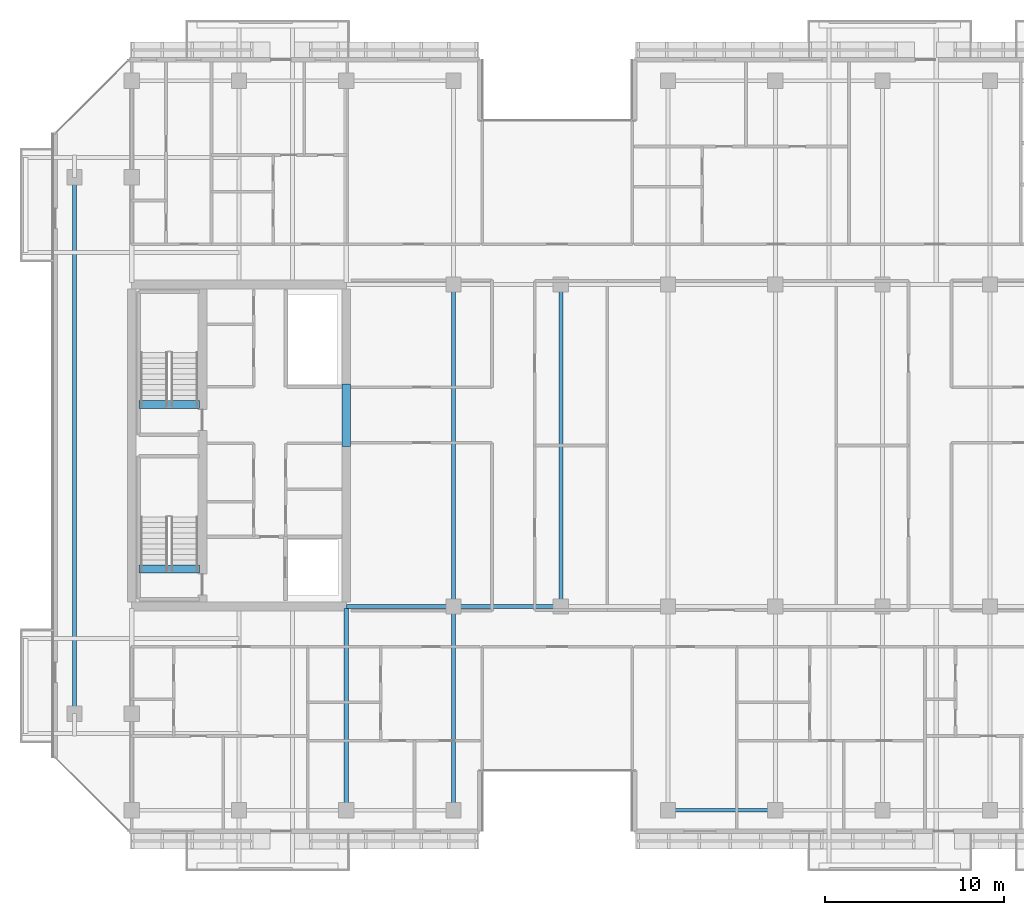
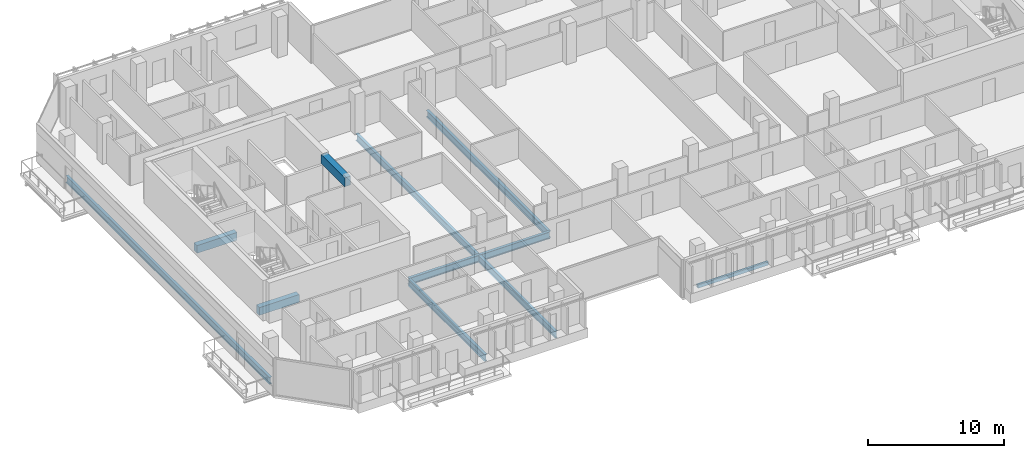
# One storey, part 5 of 30: 11 beams.
"""IFC4 building model written with IfcOpenShell, lengths in metres."""

from ifc_helpers import new_model, si_unit, direction, frame, origin, origin_2d, place, context, subcontext, project, spatial, rectangle, hollow_rectangle, i_section, extrude, material, material_profile, profile_set, type_object, element, save


model = new_model("IFC4")

# Units and contexts
model_context = context("Model", 3, precision=1e-05, world=origin(), true_north=direction((0.0, 1.0)))
body_context = subcontext(model_context, "Body", "Model", "MODEL_VIEW")
ifc_project = project(units=[si_unit("LENGTHUNIT", "METRE"), si_unit("AREAUNIT", "SQUARE_METRE"), si_unit("VOLUMEUNIT", "CUBIC_METRE"), si_unit("PLANEANGLEUNIT", "RADIAN"), si_unit("MASSUNIT", "GRAM", prefix="KILO")], contexts=[model_context])

# Site, building, storey
site_placement = place(None, origin())
site = spatial("IfcSite", under=ifc_project, at=site_placement, CompositionType="ELEMENT")
building_placement = place(site_placement, origin())
building = spatial("IfcBuilding", under=site, at=building_placement, Name="Tanjung Sevakor Pilgrim Tower", CompositionType="ELEMENT")
storey_placement = place(building_placement, frame((0.0, 0.0, 165.659912109375)))
storey = spatial("IfcBuildingStorey", under=building, at=storey_placement, Name="L46", CompositionType="ELEMENT", Elevation=165.659912109375)

# Beams
ifc_material_1 = material(Name="Steel S355J2", Category="steel")
ifc_material_profile_1 = material_profile(ifc_material_1, i_section(OverallWidth=0.230224609375, OverallDepth=0.6171875, WebThickness=0.01318359375, FlangeThickness=0.022216796875, FilletRadius=0.0126953125, at=origin_2d()))
ifc_profile_set_1 = profile_set([ifc_material_profile_1], Name="Steel S355J2")
beam_type_1 = type_object("IfcBeamType", Name="BM-B-G3-UB_610x229x140", PredefinedType="BEAM", material=ifc_profile_set_1)
for number, where, z_axis, x_axis, name in (
    (1, (36.0, 24.60009765625, -0.528564453125), (1.0, 0.0, 0.0), (0.0, 1.0, 0.0), "L46 Primary Floor Girder MAIN Y246-01"),
    (2, (42.0, 24.60009765625, -0.528564453125), (1.0, 0.0, 0.0), (0.0, 1.0, 0.0), "L46 Primary Floor Girder MAIN Y246-02"),
):
    element("IfcBeam", number, at=place(storey_placement, frame(where, z_axis=z_axis, x_axis=x_axis)), inside=storey, type_object=beam_type_1, Name=name, PredefinedType="BEAM", context=body_context, shape_type="SweptSolid", body=[
        extrude(i_section(OverallWidth=0.230224609375, OverallDepth=0.6171875, WebThickness=0.01318359375, FlangeThickness=0.022216796875, FilletRadius=0.0126953125, at=origin_2d()), origin(), (0.0, 0.0, 1.0), 6.0),
    ])
ifc_material_2 = material(Name="Steel S355J2", Category="steel")
ifc_material_profile_2 = material_profile(ifc_material_2, i_section(OverallWidth=0.22900390625, OverallDepth=0.6123046875, WebThickness=0.011962890625, FlangeThickness=0.01953125, FilletRadius=0.0126953125, at=origin_2d()))
ifc_profile_set_2 = profile_set([ifc_material_profile_2], Name="Steel S355J2")
beam_type_2 = type_object("IfcBeamType", Name="BM-B-G4-UB_610x229x125", PredefinedType="BEAM", material=ifc_profile_set_2)
beam_1_placement = place(storey_placement, frame((20.800048828125, 18.60009765625, -0.526123046875), z_axis=(0.0, 1.0, 0.0), x_axis=(-1.0, 0.0, 0.0)))
element("IfcBeam", 3, at=beam_1_placement, inside=storey, type_object=beam_type_2, Name="L46 Short-End Edge Girder W", PredefinedType="BEAM", context=body_context, shape_type="SweptSolid", body=[
    extrude(i_section(OverallWidth=0.22900390625, OverallDepth=0.6123046875, WebThickness=0.011962890625, FlangeThickness=0.01953125, FilletRadius=0.0126953125, at=origin_2d()), origin(), (0.0, 0.0, 1.0), 30.0),
])
beam_2_placement = place(storey_placement, frame((36.0, 13.199951171875, -0.526123046875), z_axis=(0.0, 1.0, 0.0), x_axis=(-1.0, 0.0, 0.0)))
element("IfcBeam", 4, at=beam_2_placement, inside=storey, type_object=beam_type_2, Name="L46 MAIN Girder 003", PredefinedType="BEAM", context=body_context, shape_type="SweptSolid", body=[
    extrude(i_section(OverallWidth=0.22900390625, OverallDepth=0.6123046875, WebThickness=0.011962890625, FlangeThickness=0.01953125, FilletRadius=0.0126953125, at=origin_2d()), origin(), (0.0, 0.0, 1.0), 11.284912109375),
])
beam_3_placement = place(storey_placement, frame((42.0, 13.199951171875, -0.526123046875), z_axis=(0.0, 1.0, 0.0), x_axis=(-1.0, 0.0, 0.0)))
element("IfcBeam", 5, at=beam_3_placement, inside=storey, type_object=beam_type_2, Name="L46 MAIN Girder 005", PredefinedType="BEAM", context=body_context, shape_type="SweptSolid", body=[
    extrude(i_section(OverallWidth=0.22900390625, OverallDepth=0.6123046875, WebThickness=0.011962890625, FlangeThickness=0.01953125, FilletRadius=0.0126953125, at=origin_2d()), origin(), (0.0, 0.0, 1.0), 11.400146484375),
])
for number, where, z_axis, x_axis, name in (
    (6, (42.0, 24.60009765625, -0.526123046875), (0.0, 1.0, 0.0), (-1.0, 0.0, 0.0), "L46 MAIN Girder 006"),
    (7, (48.0, 24.60009765625, -0.526123046875), (0.0, 1.0, 0.0), (-1.0, 0.0, 0.0), "L46 MAIN Girder 008"),
):
    element("IfcBeam", number, at=place(storey_placement, frame(where, z_axis=z_axis, x_axis=x_axis)), inside=storey, type_object=beam_type_2, Name=name, PredefinedType="BEAM", context=body_context, shape_type="SweptSolid", body=[
        extrude(i_section(OverallWidth=0.22900390625, OverallDepth=0.6123046875, WebThickness=0.011962890625, FlangeThickness=0.01953125, FilletRadius=0.0126953125, at=origin_2d()), origin(), (0.0, 0.0, 1.0), 18.0),
    ])
ifc_material_3 = material(Name="Concrete C60/75", Category="concrete")
ifc_material_profile_3 = material_profile(ifc_material_3, rectangle(XDim=0.5, YDim=0.800048828125, at=origin_2d()))
ifc_profile_set_3 = profile_set([ifc_material_profile_3], Name="Concrete C60/75")
beam_type_3 = type_object("IfcBeamType", Name="BM-B-LN2-RC-BM_500x800", PredefinedType="LINTEL", material=ifc_profile_set_3)
beam_4_placement = place(storey_placement, frame((36.0, 33.550048828125, 3.010009765625), z_axis=(0.0, 1.0, 0.0), x_axis=(-1.0, 0.0, 0.0)))
element("IfcBeam", 8, at=beam_4_placement, inside=storey, type_object=beam_type_3, Name="L46 W Core Coupling Lintel", PredefinedType="LINTEL", context=body_context, shape_type="SweptSolid", body=[
    extrude(rectangle(XDim=0.5, YDim=0.800048828125, at=origin_2d()), origin(), (0.0, 0.0, 1.0), 3.5),
])
ifc_material_4 = material(Name="Concrete C60/75", Category="concrete")
ifc_material_profile_4 = material_profile(ifc_material_4, rectangle(XDim=0.449951171875, YDim=0.699951171875, at=origin_2d()))
ifc_profile_set_4 = profile_set([ifc_material_profile_4], Name="Concrete C60/75")
beam_type_4 = type_object("IfcBeamType", Name="BM-B-LN3-RC-BM_450x700", PredefinedType="LINTEL", material=ifc_profile_set_4)
for number, where, z_axis, x_axis, name in (
    (9, (24.39990234375, 26.699951171875, -0.349853515625), (1.0, 0.0, 0.0), (0.0, 1.0, 0.0), "L46 TS-W1 Stair Threshold Beam"),
    (10, (24.39990234375, 35.89990234375, -0.349853515625), (1.0, 0.0, 0.0), (0.0, 1.0, 0.0), "L46 TS-W2 Stair Threshold Beam"),
):
    element("IfcBeam", number, at=place(storey_placement, frame(where, z_axis=z_axis, x_axis=x_axis)), inside=storey, type_object=beam_type_4, Name=name, PredefinedType="LINTEL", context=body_context, shape_type="SweptSolid", body=[
        extrude(rectangle(XDim=0.449951171875, YDim=0.699951171875, at=origin_2d()), origin(), (0.0, 0.0, 1.0), 3.400146484375),
    ])
ifc_material_5 = material(Name="Steel S355J2", Category="steel")
ifc_material_profile_5 = material_profile(ifc_material_5, hollow_rectangle(XDim=0.199951171875, YDim=0.300048828125, WallThickness=0.012451171875, at=origin_2d()))
ifc_profile_set_5 = profile_set([ifc_material_profile_5], Name="Steel S355J2")
beam_type_5 = type_object("IfcBeamType", Name="BM-B-SP3-RHS_300x200x12.5", PredefinedType="SPANDREL", material=ifc_profile_set_5)
beam_5_placement = place(storey_placement, frame((54.0, 13.199951171875, -0.369873046875), z_axis=(1.0, 0.0, 0.0), x_axis=(0.0, 1.0, 0.0)))
element("IfcBeam", 11, at=beam_5_placement, inside=storey, type_object=beam_type_5, Name="L46 Spandrel MAIN S-07", PredefinedType="SPANDREL", context=body_context, shape_type="SweptSolid", body=[
    extrude(hollow_rectangle(XDim=0.199951171875, YDim=0.300048828125, WallThickness=0.012451171875, at=origin_2d()), origin(), (0.0, 0.0, 1.0), 6.0),
])

save(model, "model.ifc")
